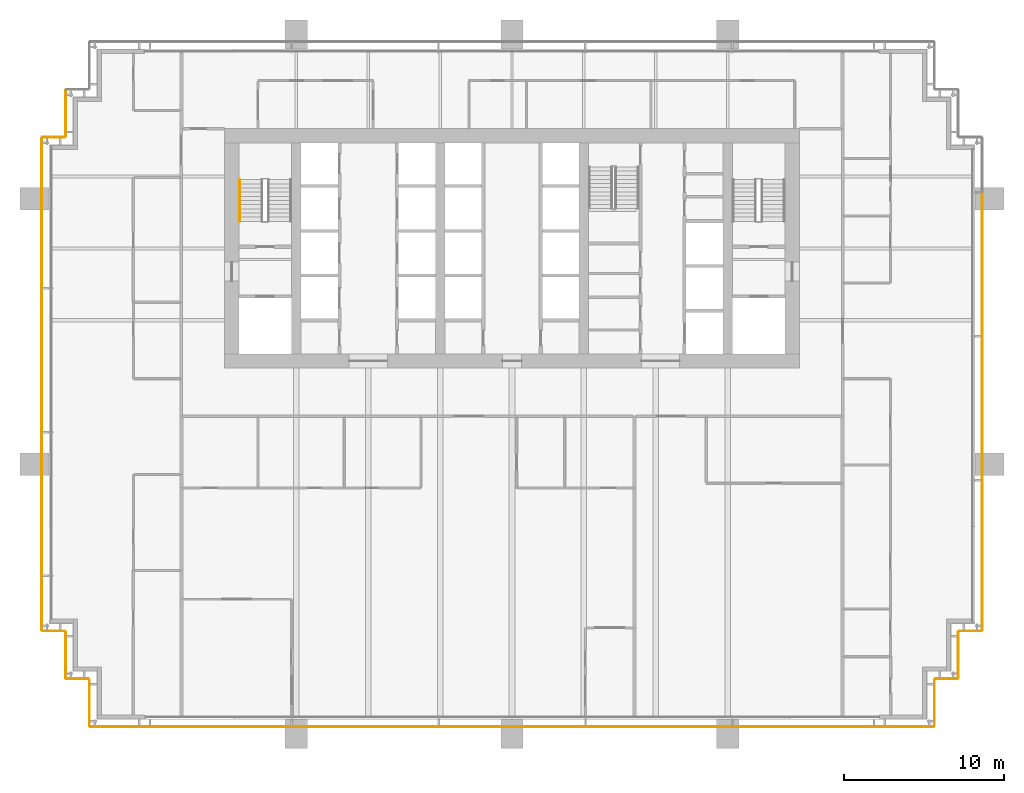
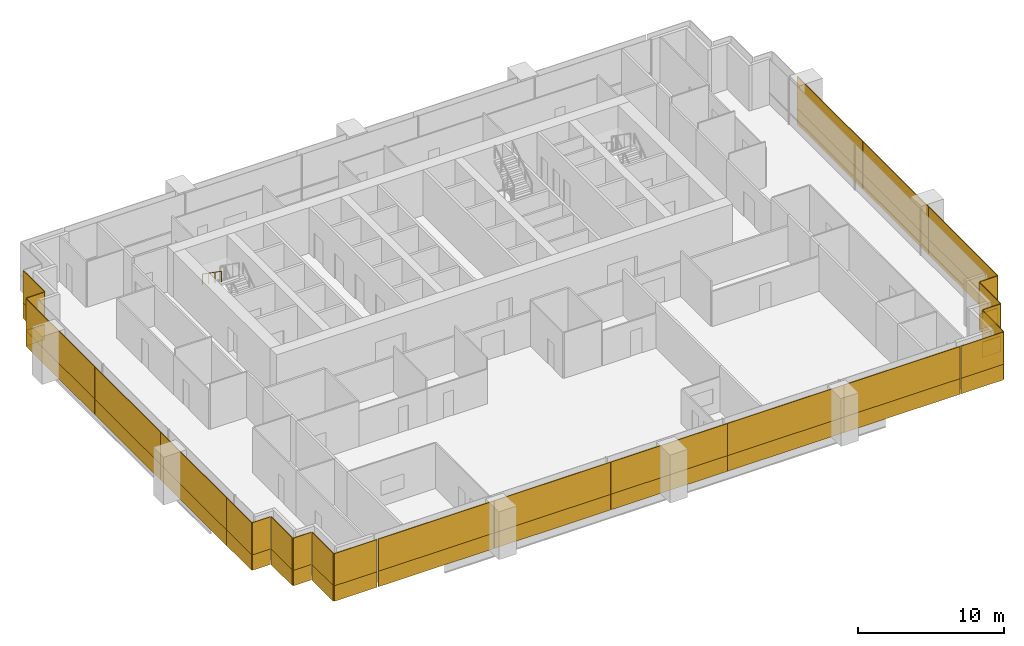
# One storey, part 16 of 18: 48 coverings, 1 railing.
"""IFC4 building model written with IfcOpenShell, lengths in metres."""

from ifc_helpers import new_model, si_unit, direction, frame, origin, origin_2d, place, context, subcontext, project, spatial, rectangle, extrude, material, layer, layer_set, type_object, element, save


model = new_model("IFC4")

# Units and contexts
model_context = context("Model", 3, precision=1e-05, world=origin(), true_north=direction((0.0, 1.0)))
body_context = subcontext(model_context, "Body", "Model", "MODEL_VIEW")
ifc_project = project(units=[si_unit("LENGTHUNIT", "METRE"), si_unit("AREAUNIT", "SQUARE_METRE"), si_unit("VOLUMEUNIT", "CUBIC_METRE"), si_unit("PLANEANGLEUNIT", "RADIAN"), si_unit("MASSUNIT", "GRAM", prefix="KILO")], contexts=[model_context])

# Site, building, storey
site_placement = place(None, origin())
site = spatial("IfcSite", under=ifc_project, at=site_placement, CompositionType="ELEMENT")
building_placement = place(site_placement, origin())
building = spatial("IfcBuilding", under=site, at=building_placement, Name="Rattan Terrace Tower", CompositionType="ELEMENT")
storey_placement = place(building_placement, frame((0.0, 0.0, 134.10009765625)))
storey = spatial("IfcBuildingStorey", under=building, at=storey_placement, Name="L30", CompositionType="ELEMENT", Elevation=134.10009765625)

# Railing
ifc_material_1 = material(Name="Powder-coated steel handrail", Category="steel")
railing_type = type_object("IfcRailingType", Name="Core stair handrail", PredefinedType="HANDRAIL", material=ifc_material_1)
railing_placement = place(storey_placement, frame((-17.050048828125, 4.300048828125, 2.181640625)))
element("IfcRailing", 1, at=railing_placement, inside=storey, type_object=railing_type, Name="L30 S1 stair handrail 2", PredefinedType="HANDRAIL", context=body_context, shape_type="SweptSolid", body=[
    extrude(rectangle(XDim=0.048095703125, YDim=0.048095703125, at=origin_2d()), frame((0.0, 0.0, 0.8759765625), z_axis=(0.0, -0.819484887739, 0.573100792852), x_axis=(1.0, 0.0, 0.0)), (0.0, 0.0, 1.0), 3.1728515625),
    extrude(rectangle(XDim=0.0419921875, YDim=0.0419921875, at=origin_2d()), origin(), (0.0, 0.0, 1.0), 0.851806640625),
    extrude(rectangle(XDim=0.0419921875, YDim=0.0419921875, at=origin_2d()), frame((0.0, -0.86669921875, 0.606201171875)), (0.0, 0.0, 1.0), 0.851806640625),
    extrude(rectangle(XDim=0.0419921875, YDim=0.0419921875, at=origin_2d()), frame((0.0, -1.7333984375, 1.212158203125)), (0.0, 0.0, 1.0), 0.851806640625),
    extrude(rectangle(XDim=0.0419921875, YDim=0.0419921875, at=origin_2d()), frame((0.0, -2.60009765625, 1.818359375)), (0.0, 0.0, 1.0), 0.851806640625),
])

# Coverings
ifc_material_2 = material(Name="Solid terracotta", Category="masonry")
ifc_layer_1 = layer(ifc_material_2, 0.06005859375)
ifc_layer_set_1 = layer_set([ifc_layer_1], Name="Facade Terracotta Band Panel")
covering_type_1 = type_object("IfcCoveringType", Name="Facade Terracotta Band Panel", PredefinedType="CLADDING", material=ifc_layer_set_1)
covering_1_placement = place(storey_placement, frame((24.72509765625, -29.949951171875, -0.18994140625), z_axis=(0.0, 0.0, 1.0), x_axis=(1.0, 0.0, 0.0)))
element("IfcCovering", 2, at=covering_1_placement, inside=storey, type_object=covering_type_1, Name="OUTER SKIN panel L30-1A", PredefinedType="CLADDING", context=body_context, shape_type="SweptSolid", body=[
    extrude(rectangle(XDim=3.3701171875, YDim=0.06005859375, at=origin_2d()), origin(), (0.0, 0.0, 1.0), 1.300048828125),
])
covering_2_placement = place(storey_placement, frame((26.449951171875, -28.449951171875, -0.18994140625), z_axis=(0.0, 0.0, 1.0), x_axis=(0.0, 1.0, 0.0)))
element("IfcCovering", 3, at=covering_2_placement, inside=storey, type_object=covering_type_1, Name="OUTER SKIN panel L30-2A", PredefinedType="CLADDING", context=body_context, shape_type="SweptSolid", body=[
    extrude(rectangle(XDim=2.919921875, YDim=0.06005859375, at=origin_2d()), origin(), (0.0, 0.0, 1.0), 1.300048828125),
])
covering_3_placement = place(storey_placement, frame((27.199951171875, -26.949951171875, -0.18994140625), z_axis=(0.0, 0.0, 1.0), x_axis=(1.0, 0.0, 0.0)))
element("IfcCovering", 4, at=covering_3_placement, inside=storey, type_object=covering_type_1, Name="OUTER SKIN panel L30-3A", PredefinedType="CLADDING", context=body_context, shape_type="SweptSolid", body=[
    extrude(rectangle(XDim=1.419921875, YDim=0.06005859375, at=origin_2d()), origin(), (0.0, 0.0, 1.0), 1.300048828125),
])
covering_4_placement = place(storey_placement, frame((27.949951171875, -25.449951171875, -0.18994140625), z_axis=(0.0, 0.0, 1.0), x_axis=(0.0, 1.0, 0.0)))
element("IfcCovering", 5, at=covering_4_placement, inside=storey, type_object=covering_type_1, Name="OUTER SKIN panel L30-4A", PredefinedType="CLADDING", context=body_context, shape_type="SweptSolid", body=[
    extrude(rectangle(XDim=2.919921875, YDim=0.06005859375, at=origin_2d()), origin(), (0.0, 0.0, 1.0), 1.300048828125),
])
covering_5_placement = place(storey_placement, frame((28.699951171875, -23.949951171875, -0.18994140625), z_axis=(0.0, 0.0, 1.0), x_axis=(1.0, 0.0, 0.0)))
element("IfcCovering", 6, at=covering_5_placement, inside=storey, type_object=covering_type_1, Name="OUTER SKIN panel L30-5A", PredefinedType="CLADDING", context=body_context, shape_type="SweptSolid", body=[
    extrude(rectangle(XDim=1.419921875, YDim=0.06005859375, at=origin_2d()), origin(), (0.0, 0.0, 1.0), 1.300048828125),
])
covering_6_placement = place(storey_placement, frame((29.449951171875, -19.2099609375, -0.18994140625), z_axis=(0.0, 0.0, 1.0), x_axis=(0.0, 1.0, 0.0)))
element("IfcCovering", 7, at=covering_6_placement, inside=storey, type_object=covering_type_1, Name="OUTER SKIN panel L30-6A", PredefinedType="CLADDING", context=body_context, shape_type="SweptSolid", body=[
    extrude(rectangle(XDim=9.39990234375, YDim=0.06005859375, at=origin_2d()), origin(), (0.0, 0.0, 1.0), 1.300048828125),
])
for number, where, z_axis, x_axis, name in (
    (8, (29.449951171875, -10.0, -0.18994140625), (0.0, 0.0, 1.0), (0.0, 1.0, 0.0), "OUTER SKIN panel L30-7A"),
    (9, (29.449951171875, -1.0, -0.18994140625), (0.0, 0.0, 1.0), (0.0, 1.0, 0.0), "OUTER SKIN panel L30-8A"),
):
    element("IfcCovering", number, at=place(storey_placement, frame(where, z_axis=z_axis, x_axis=x_axis)), inside=storey, type_object=covering_type_1, Name=name, PredefinedType="CLADDING", context=body_context, shape_type="SweptSolid", body=[
        extrude(rectangle(XDim=8.97998046875, YDim=0.06005859375, at=origin_2d()), origin(), (0.0, 0.0, 1.0), 1.300048828125),
    ])
covering_7_placement = place(storey_placement, frame((-27.949951171875, 8.449951171875, -0.18994140625), z_axis=(0.0, 0.0, 1.0), x_axis=(0.0, -1.0, 0.0)))
element("IfcCovering", 10, at=covering_7_placement, inside=storey, type_object=covering_type_1, Name="OUTER SKIN panel L30-23A", PredefinedType="CLADDING", context=body_context, shape_type="SweptSolid", body=[
    extrude(rectangle(XDim=2.919921875, YDim=0.06005859375, at=origin_2d()), origin(), (0.0, 0.0, 1.0), 1.300048828125),
])
covering_8_placement = place(storey_placement, frame((-28.699951171875, 6.949951171875, -0.18994140625), z_axis=(0.0, 0.0, 1.0), x_axis=(-1.0, 0.0, 0.0)))
element("IfcCovering", 11, at=covering_8_placement, inside=storey, type_object=covering_type_1, Name="OUTER SKIN panel L30-24A", PredefinedType="CLADDING", context=body_context, shape_type="SweptSolid", body=[
    extrude(rectangle(XDim=1.419921875, YDim=0.06005859375, at=origin_2d()), origin(), (0.0, 0.0, 1.0), 1.300048828125),
])
covering_9_placement = place(storey_placement, frame((-29.449951171875, 2.2099609375, -0.18994140625), z_axis=(0.0, 0.0, 1.0), x_axis=(0.0, -1.0, 0.0)))
element("IfcCovering", 12, at=covering_9_placement, inside=storey, type_object=covering_type_1, Name="OUTER SKIN panel L30-25A", PredefinedType="CLADDING", context=body_context, shape_type="SweptSolid", body=[
    extrude(rectangle(XDim=9.39990234375, YDim=0.06005859375, at=origin_2d()), origin(), (0.0, 0.0, 1.0), 1.300048828125),
])
for number, where, z_axis, x_axis, name in (
    (13, (-29.449951171875, -7.0, -0.18994140625), (0.0, 0.0, 1.0), (0.0, -1.0, 0.0), "OUTER SKIN panel L30-26A"),
    (14, (-29.449951171875, -16.0, -0.18994140625), (0.0, 0.0, 1.0), (0.0, -1.0, 0.0), "OUTER SKIN panel L30-27A"),
):
    element("IfcCovering", number, at=place(storey_placement, frame(where, z_axis=z_axis, x_axis=x_axis)), inside=storey, type_object=covering_type_1, Name=name, PredefinedType="CLADDING", context=body_context, shape_type="SweptSolid", body=[
        extrude(rectangle(XDim=8.97998046875, YDim=0.06005859375, at=origin_2d()), origin(), (0.0, 0.0, 1.0), 1.300048828125),
    ])
covering_10_placement = place(storey_placement, frame((-29.449951171875, -22.2099609375, -0.18994140625), z_axis=(0.0, 0.0, 1.0), x_axis=(0.0, -1.0, 0.0)))
element("IfcCovering", 15, at=covering_10_placement, inside=storey, type_object=covering_type_1, Name="OUTER SKIN panel L30-28A", PredefinedType="CLADDING", context=body_context, shape_type="SweptSolid", body=[
    extrude(rectangle(XDim=3.39990234375, YDim=0.06005859375, at=origin_2d()), origin(), (0.0, 0.0, 1.0), 1.300048828125),
])
covering_11_placement = place(storey_placement, frame((-28.699951171875, -23.949951171875, -0.18994140625), z_axis=(0.0, 0.0, 1.0), x_axis=(1.0, 0.0, 0.0)))
element("IfcCovering", 16, at=covering_11_placement, inside=storey, type_object=covering_type_1, Name="OUTER SKIN panel L30-29A", PredefinedType="CLADDING", context=body_context, shape_type="SweptSolid", body=[
    extrude(rectangle(XDim=1.419921875, YDim=0.06005859375, at=origin_2d()), origin(), (0.0, 0.0, 1.0), 1.300048828125),
])
covering_12_placement = place(storey_placement, frame((-27.949951171875, -25.449951171875, -0.18994140625), z_axis=(0.0, 0.0, 1.0), x_axis=(0.0, -1.0, 0.0)))
element("IfcCovering", 17, at=covering_12_placement, inside=storey, type_object=covering_type_1, Name="OUTER SKIN panel L30-30A", PredefinedType="CLADDING", context=body_context, shape_type="SweptSolid", body=[
    extrude(rectangle(XDim=2.919921875, YDim=0.06005859375, at=origin_2d()), origin(), (0.0, 0.0, 1.0), 1.300048828125),
])
covering_13_placement = place(storey_placement, frame((-27.199951171875, -26.949951171875, -0.18994140625), z_axis=(0.0, 0.0, 1.0), x_axis=(1.0, 0.0, 0.0)))
element("IfcCovering", 18, at=covering_13_placement, inside=storey, type_object=covering_type_1, Name="OUTER SKIN panel L30-31A", PredefinedType="CLADDING", context=body_context, shape_type="SweptSolid", body=[
    extrude(rectangle(XDim=1.419921875, YDim=0.06005859375, at=origin_2d()), origin(), (0.0, 0.0, 1.0), 1.300048828125),
])
covering_14_placement = place(storey_placement, frame((-26.449951171875, -28.449951171875, -0.18994140625), z_axis=(0.0, 0.0, 1.0), x_axis=(0.0, -1.0, 0.0)))
element("IfcCovering", 19, at=covering_14_placement, inside=storey, type_object=covering_type_1, Name="OUTER SKIN panel L30-32A", PredefinedType="CLADDING", context=body_context, shape_type="SweptSolid", body=[
    extrude(rectangle(XDim=2.919921875, YDim=0.06005859375, at=origin_2d()), origin(), (0.0, 0.0, 1.0), 1.300048828125),
])
covering_15_placement = place(storey_placement, frame((-24.72509765625, -29.949951171875, -0.18994140625), z_axis=(0.0, 0.0, 1.0), x_axis=(1.0, 0.0, 0.0)))
element("IfcCovering", 20, at=covering_15_placement, inside=storey, type_object=covering_type_1, Name="OUTER SKIN panel L30-33A", PredefinedType="CLADDING", context=body_context, shape_type="SweptSolid", body=[
    extrude(rectangle(XDim=3.3701171875, YDim=0.06005859375, at=origin_2d()), origin(), (0.0, 0.0, 1.0), 1.300048828125),
])
covering_16_placement = place(storey_placement, frame((-18.384521484375, -29.949951171875, -0.18994140625), z_axis=(0.0, 0.0, 1.0), x_axis=(1.0, 0.0, 0.0)))
element("IfcCovering", 21, at=covering_16_placement, inside=storey, type_object=covering_type_1, Name="OUTER SKIN panel L30-34A", PredefinedType="CLADDING", context=body_context, shape_type="SweptSolid", body=[
    extrude(rectangle(XDim=9.15087890625, YDim=0.06005859375, at=origin_2d()), origin(), (0.0, 0.0, 1.0), 1.300048828125),
])
for number, where, z_axis, x_axis, name in (
    (22, (-9.198486328125, -29.949951171875, -0.18994140625), (0.0, 0.0, 1.0), (1.0, 0.0, 0.0), "OUTER SKIN panel L30-35A"),
    (23, (0.00244140625, -29.949951171875, -0.18994140625), (0.0, 0.0, 1.0), (1.0, 0.0, 0.0), "OUTER SKIN panel L30-36A"),
    (24, (9.20361328125, -29.949951171875, -0.18994140625), (0.0, 0.0, 1.0), (1.0, 0.0, 0.0), "OUTER SKIN panel L30-37A"),
):
    element("IfcCovering", number, at=place(storey_placement, frame(where, z_axis=z_axis, x_axis=x_axis)), inside=storey, type_object=covering_type_1, Name=name, PredefinedType="CLADDING", context=body_context, shape_type="SweptSolid", body=[
        extrude(rectangle(XDim=9.180908203125, YDim=0.06005859375, at=origin_2d()), origin(), (0.0, 0.0, 1.0), 1.300048828125),
    ])
covering_17_placement = place(storey_placement, frame((18.386962890625, -29.949951171875, -0.18994140625), z_axis=(0.0, 0.0, 1.0), x_axis=(1.0, 0.0, 0.0)))
element("IfcCovering", 25, at=covering_17_placement, inside=storey, type_object=covering_type_1, Name="OUTER SKIN panel L30-38A", PredefinedType="CLADDING", context=body_context, shape_type="SweptSolid", body=[
    extrude(rectangle(XDim=9.14599609375, YDim=0.06005859375, at=origin_2d()), origin(), (0.0, 0.0, 1.0), 1.300048828125),
])
ifc_material_3 = material(Name="Perforated terracotta", Category="masonry")
ifc_layer_2 = layer(ifc_material_3, 0.06005859375)
ifc_layer_set_2 = layer_set([ifc_layer_2], Name="Facade Terracotta Screen Panel")
covering_type_2 = type_object("IfcCoveringType", Name="Facade Terracotta Screen Panel", PredefinedType="CLADDING", material=ifc_layer_set_2)
covering_18_placement = place(storey_placement, frame((24.72509765625, -29.949951171875, 1.10986328125), z_axis=(0.0, 0.0, 1.0), x_axis=(1.0, 0.0, 0.0)))
element("IfcCovering", 26, at=covering_18_placement, inside=storey, type_object=covering_type_2, Name="OUTER SKIN panel L30-1B", PredefinedType="CLADDING", context=body_context, shape_type="SweptSolid", body=[
    extrude(rectangle(XDim=3.3701171875, YDim=0.06005859375, at=origin_2d()), origin(), (0.0, 0.0, 1.0), 2.679931640625),
])
covering_19_placement = place(storey_placement, frame((26.449951171875, -28.449951171875, 1.10986328125), z_axis=(0.0, 0.0, 1.0), x_axis=(0.0, 1.0, 0.0)))
element("IfcCovering", 27, at=covering_19_placement, inside=storey, type_object=covering_type_2, Name="OUTER SKIN panel L30-2B", PredefinedType="CLADDING", context=body_context, shape_type="SweptSolid", body=[
    extrude(rectangle(XDim=2.919921875, YDim=0.06005859375, at=origin_2d()), origin(), (0.0, 0.0, 1.0), 2.679931640625),
])
covering_20_placement = place(storey_placement, frame((27.199951171875, -26.949951171875, 1.10986328125), z_axis=(0.0, 0.0, 1.0), x_axis=(1.0, 0.0, 0.0)))
element("IfcCovering", 28, at=covering_20_placement, inside=storey, type_object=covering_type_2, Name="OUTER SKIN panel L30-3B", PredefinedType="CLADDING", context=body_context, shape_type="SweptSolid", body=[
    extrude(rectangle(XDim=1.419921875, YDim=0.06005859375, at=origin_2d()), origin(), (0.0, 0.0, 1.0), 2.679931640625),
])
covering_21_placement = place(storey_placement, frame((27.949951171875, -25.449951171875, 1.10986328125), z_axis=(0.0, 0.0, 1.0), x_axis=(0.0, 1.0, 0.0)))
element("IfcCovering", 29, at=covering_21_placement, inside=storey, type_object=covering_type_2, Name="OUTER SKIN panel L30-4B", PredefinedType="CLADDING", context=body_context, shape_type="SweptSolid", body=[
    extrude(rectangle(XDim=2.919921875, YDim=0.06005859375, at=origin_2d()), origin(), (0.0, 0.0, 1.0), 2.679931640625),
])
covering_22_placement = place(storey_placement, frame((28.699951171875, -23.949951171875, 1.10986328125), z_axis=(0.0, 0.0, 1.0), x_axis=(1.0, 0.0, 0.0)))
element("IfcCovering", 30, at=covering_22_placement, inside=storey, type_object=covering_type_2, Name="OUTER SKIN panel L30-5B", PredefinedType="CLADDING", context=body_context, shape_type="SweptSolid", body=[
    extrude(rectangle(XDim=1.419921875, YDim=0.06005859375, at=origin_2d()), origin(), (0.0, 0.0, 1.0), 2.679931640625),
])
covering_23_placement = place(storey_placement, frame((29.449951171875, -19.2099609375, 1.10986328125), z_axis=(0.0, 0.0, 1.0), x_axis=(0.0, 1.0, 0.0)))
element("IfcCovering", 31, at=covering_23_placement, inside=storey, type_object=covering_type_2, Name="OUTER SKIN panel L30-6B", PredefinedType="CLADDING", context=body_context, shape_type="SweptSolid", body=[
    extrude(rectangle(XDim=9.39990234375, YDim=0.06005859375, at=origin_2d()), origin(), (0.0, 0.0, 1.0), 2.679931640625),
])
for number, where, z_axis, x_axis, name in (
    (32, (29.449951171875, -10.0, 1.10986328125), (0.0, 0.0, 1.0), (0.0, 1.0, 0.0), "OUTER SKIN panel L30-7B"),
    (33, (29.449951171875, -1.0, 1.10986328125), (0.0, 0.0, 1.0), (0.0, 1.0, 0.0), "OUTER SKIN panel L30-8B"),
):
    element("IfcCovering", number, at=place(storey_placement, frame(where, z_axis=z_axis, x_axis=x_axis)), inside=storey, type_object=covering_type_2, Name=name, PredefinedType="CLADDING", context=body_context, shape_type="SweptSolid", body=[
        extrude(rectangle(XDim=8.97998046875, YDim=0.06005859375, at=origin_2d()), origin(), (0.0, 0.0, 1.0), 2.679931640625),
    ])
covering_24_placement = place(storey_placement, frame((-27.949951171875, 8.449951171875, 1.10986328125), z_axis=(0.0, 0.0, 1.0), x_axis=(0.0, -1.0, 0.0)))
element("IfcCovering", 34, at=covering_24_placement, inside=storey, type_object=covering_type_2, Name="OUTER SKIN panel L30-23B", PredefinedType="CLADDING", context=body_context, shape_type="SweptSolid", body=[
    extrude(rectangle(XDim=2.919921875, YDim=0.06005859375, at=origin_2d()), origin(), (0.0, 0.0, 1.0), 2.679931640625),
])
covering_25_placement = place(storey_placement, frame((-28.699951171875, 6.949951171875, 1.10986328125), z_axis=(0.0, 0.0, 1.0), x_axis=(-1.0, 0.0, 0.0)))
element("IfcCovering", 35, at=covering_25_placement, inside=storey, type_object=covering_type_2, Name="OUTER SKIN panel L30-24B", PredefinedType="CLADDING", context=body_context, shape_type="SweptSolid", body=[
    extrude(rectangle(XDim=1.419921875, YDim=0.06005859375, at=origin_2d()), origin(), (0.0, 0.0, 1.0), 2.679931640625),
])
covering_26_placement = place(storey_placement, frame((-29.449951171875, 2.2099609375, 1.10986328125), z_axis=(0.0, 0.0, 1.0), x_axis=(0.0, -1.0, 0.0)))
element("IfcCovering", 36, at=covering_26_placement, inside=storey, type_object=covering_type_2, Name="OUTER SKIN panel L30-25B", PredefinedType="CLADDING", context=body_context, shape_type="SweptSolid", body=[
    extrude(rectangle(XDim=9.39990234375, YDim=0.06005859375, at=origin_2d()), origin(), (0.0, 0.0, 1.0), 2.679931640625),
])
for number, where, z_axis, x_axis, name in (
    (37, (-29.449951171875, -7.0, 1.10986328125), (0.0, 0.0, 1.0), (0.0, -1.0, 0.0), "OUTER SKIN panel L30-26B"),
    (38, (-29.449951171875, -16.0, 1.10986328125), (0.0, 0.0, 1.0), (0.0, -1.0, 0.0), "OUTER SKIN panel L30-27B"),
):
    element("IfcCovering", number, at=place(storey_placement, frame(where, z_axis=z_axis, x_axis=x_axis)), inside=storey, type_object=covering_type_2, Name=name, PredefinedType="CLADDING", context=body_context, shape_type="SweptSolid", body=[
        extrude(rectangle(XDim=8.97998046875, YDim=0.06005859375, at=origin_2d()), origin(), (0.0, 0.0, 1.0), 2.679931640625),
    ])
covering_27_placement = place(storey_placement, frame((-29.449951171875, -22.2099609375, 1.10986328125), z_axis=(0.0, 0.0, 1.0), x_axis=(0.0, -1.0, 0.0)))
element("IfcCovering", 39, at=covering_27_placement, inside=storey, type_object=covering_type_2, Name="OUTER SKIN panel L30-28B", PredefinedType="CLADDING", context=body_context, shape_type="SweptSolid", body=[
    extrude(rectangle(XDim=3.39990234375, YDim=0.06005859375, at=origin_2d()), origin(), (0.0, 0.0, 1.0), 2.679931640625),
])
covering_28_placement = place(storey_placement, frame((-28.699951171875, -23.949951171875, 1.10986328125), z_axis=(0.0, 0.0, 1.0), x_axis=(1.0, 0.0, 0.0)))
element("IfcCovering", 40, at=covering_28_placement, inside=storey, type_object=covering_type_2, Name="OUTER SKIN panel L30-29B", PredefinedType="CLADDING", context=body_context, shape_type="SweptSolid", body=[
    extrude(rectangle(XDim=1.419921875, YDim=0.06005859375, at=origin_2d()), origin(), (0.0, 0.0, 1.0), 2.679931640625),
])
covering_29_placement = place(storey_placement, frame((-27.949951171875, -25.449951171875, 1.10986328125), z_axis=(0.0, 0.0, 1.0), x_axis=(0.0, -1.0, 0.0)))
element("IfcCovering", 41, at=covering_29_placement, inside=storey, type_object=covering_type_2, Name="OUTER SKIN panel L30-30B", PredefinedType="CLADDING", context=body_context, shape_type="SweptSolid", body=[
    extrude(rectangle(XDim=2.919921875, YDim=0.06005859375, at=origin_2d()), origin(), (0.0, 0.0, 1.0), 2.679931640625),
])
covering_30_placement = place(storey_placement, frame((-27.199951171875, -26.949951171875, 1.10986328125), z_axis=(0.0, 0.0, 1.0), x_axis=(1.0, 0.0, 0.0)))
element("IfcCovering", 42, at=covering_30_placement, inside=storey, type_object=covering_type_2, Name="OUTER SKIN panel L30-31B", PredefinedType="CLADDING", context=body_context, shape_type="SweptSolid", body=[
    extrude(rectangle(XDim=1.419921875, YDim=0.06005859375, at=origin_2d()), origin(), (0.0, 0.0, 1.0), 2.679931640625),
])
covering_31_placement = place(storey_placement, frame((-26.449951171875, -28.449951171875, 1.10986328125), z_axis=(0.0, 0.0, 1.0), x_axis=(0.0, -1.0, 0.0)))
element("IfcCovering", 43, at=covering_31_placement, inside=storey, type_object=covering_type_2, Name="OUTER SKIN panel L30-32B", PredefinedType="CLADDING", context=body_context, shape_type="SweptSolid", body=[
    extrude(rectangle(XDim=2.919921875, YDim=0.06005859375, at=origin_2d()), origin(), (0.0, 0.0, 1.0), 2.679931640625),
])
covering_32_placement = place(storey_placement, frame((-24.72509765625, -29.949951171875, 1.10986328125), z_axis=(0.0, 0.0, 1.0), x_axis=(1.0, 0.0, 0.0)))
element("IfcCovering", 44, at=covering_32_placement, inside=storey, type_object=covering_type_2, Name="OUTER SKIN panel L30-33B", PredefinedType="CLADDING", context=body_context, shape_type="SweptSolid", body=[
    extrude(rectangle(XDim=3.3701171875, YDim=0.06005859375, at=origin_2d()), origin(), (0.0, 0.0, 1.0), 2.679931640625),
])
covering_33_placement = place(storey_placement, frame((-18.384521484375, -29.949951171875, 1.10986328125), z_axis=(0.0, 0.0, 1.0), x_axis=(1.0, 0.0, 0.0)))
element("IfcCovering", 45, at=covering_33_placement, inside=storey, type_object=covering_type_2, Name="OUTER SKIN panel L30-34B", PredefinedType="CLADDING", context=body_context, shape_type="SweptSolid", body=[
    extrude(rectangle(XDim=9.15087890625, YDim=0.06005859375, at=origin_2d()), origin(), (0.0, 0.0, 1.0), 2.679931640625),
])
for number, where, z_axis, x_axis, name in (
    (46, (-9.198486328125, -29.949951171875, 1.10986328125), (0.0, 0.0, 1.0), (1.0, 0.0, 0.0), "OUTER SKIN panel L30-35B"),
    (47, (0.00244140625, -29.949951171875, 1.10986328125), (0.0, 0.0, 1.0), (1.0, 0.0, 0.0), "OUTER SKIN panel L30-36B"),
    (48, (9.20361328125, -29.949951171875, 1.10986328125), (0.0, 0.0, 1.0), (1.0, 0.0, 0.0), "OUTER SKIN panel L30-37B"),
):
    element("IfcCovering", number, at=place(storey_placement, frame(where, z_axis=z_axis, x_axis=x_axis)), inside=storey, type_object=covering_type_2, Name=name, PredefinedType="CLADDING", context=body_context, shape_type="SweptSolid", body=[
        extrude(rectangle(XDim=9.180908203125, YDim=0.06005859375, at=origin_2d()), origin(), (0.0, 0.0, 1.0), 2.679931640625),
    ])
covering_34_placement = place(storey_placement, frame((18.386962890625, -29.949951171875, 1.10986328125), z_axis=(0.0, 0.0, 1.0), x_axis=(1.0, 0.0, 0.0)))
element("IfcCovering", 49, at=covering_34_placement, inside=storey, type_object=covering_type_2, Name="OUTER SKIN panel L30-38B", PredefinedType="CLADDING", context=body_context, shape_type="SweptSolid", body=[
    extrude(rectangle(XDim=9.14599609375, YDim=0.06005859375, at=origin_2d()), origin(), (0.0, 0.0, 1.0), 2.679931640625),
])

save(model, "model.ifc")
